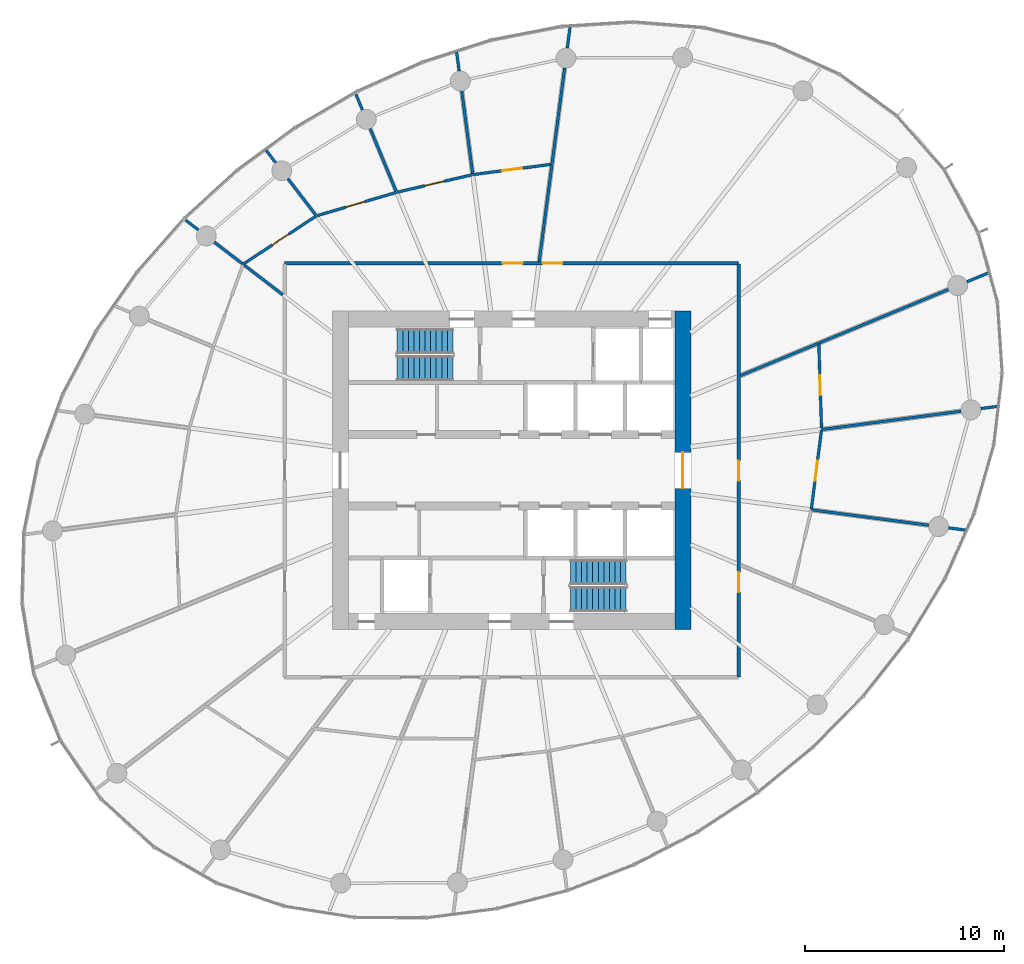
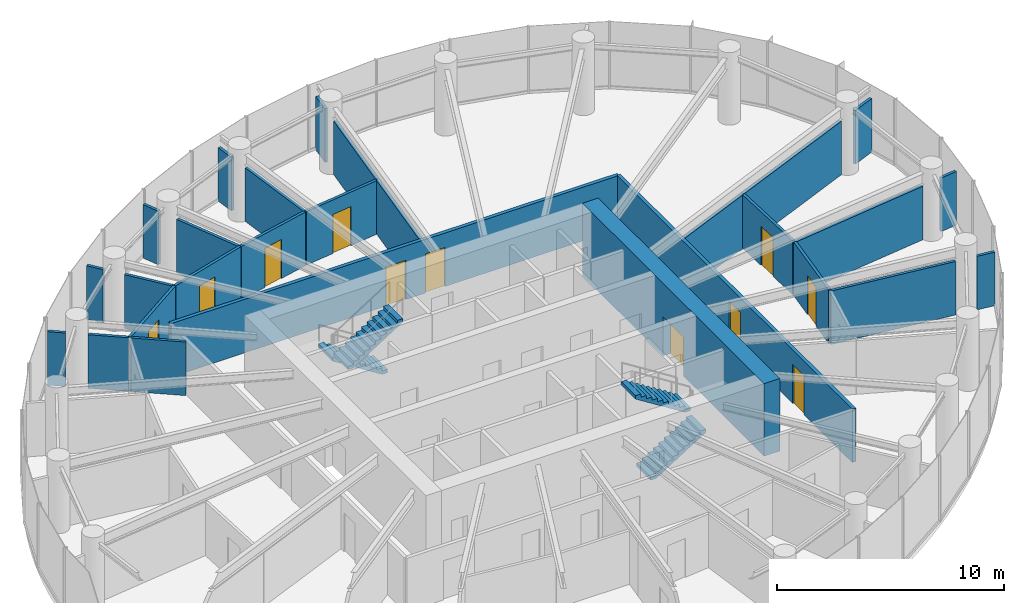
# One storey, part 11 of 14: 28 walls, 11 doors, 4 stair flights, 11 openings, 2 elements without a shape of their own.
"""IFC4 building model written with IfcOpenShell, lengths in metres."""

from ifc_helpers import new_model, si_unit, direction, frame, frame_2d, origin, place, context, subcontext, project, spatial, line, indexed_curve, rectangle, outline, extrude, source, transform, mapped, material, layer, layer_set, type_object, element, fill, aggregate, save


model = new_model("IFC4")

# Units and contexts
model_context = context("Model", 3, precision=1e-05, world=origin(), true_north=direction((0.0, 1.0)))
body_context = subcontext(model_context, "Body", "Model", "MODEL_VIEW")
ifc_project = project(units=[si_unit("LENGTHUNIT", "METRE"), si_unit("AREAUNIT", "SQUARE_METRE"), si_unit("VOLUMEUNIT", "CUBIC_METRE"), si_unit("PLANEANGLEUNIT", "RADIAN"), si_unit("MASSUNIT", "GRAM", prefix="KILO")], contexts=[model_context])

# Site, building, storey
site_placement = place(None, origin())
site = spatial("IfcSite", under=ifc_project, at=site_placement, CompositionType="ELEMENT")
building_placement = place(site_placement, origin())
building = spatial("IfcBuilding", under=site, at=building_placement, Name="Spindrift Exchange Tower", CompositionType="ELEMENT")
storey_placement = place(building_placement, frame((0.0, 0.0, 156.5)))
storey = spatial("IfcBuildingStorey", under=building, at=storey_placement, Name="L37", CompositionType="ELEMENT", Elevation=156.5)

# Wall, opening, door
ifc_material_1 = material(Name="Concrete 65 MPa", Category="concrete")
ifc_layer_1 = layer(ifc_material_1, 0.800048828125)
ifc_layer_set_1 = layer_set([ifc_layer_1], Name="RC Core Wall 800 Concrete 65 MPa")
wall_type_1 = type_object("IfcWallType", Name="RC Core Wall 800 Concrete 65 MPa", PredefinedType="SHEAR", material=ifc_layer_set_1)
wall_1_placement = place(storey_placement, frame((60.60009765625, 40.0, 0.0), z_axis=(0.0, 0.0, 1.0), x_axis=(0.0, 1.0, 0.0)))
wall_1 = element("IfcWall", 1, at=wall_1_placement, inside=storey, type_object=wall_type_1, Name="Core wall E L37", PredefinedType="SHEAR", context=body_context, shape_type="SweptSolid", body=[
    extrude(rectangle(XDim=16.0, YDim=0.800048828125, at=frame_2d((8.0, 0.0))), origin(), (0.0, 0.0, 1.0), 3.89990234375),
])
opening_1_placement = place(wall_1_placement, frame((7.10009765625, 0.0, 0.0)))
opening_1 = element("IfcOpeningElement", 2, at=opening_1_placement, cuts=wall_1, Name="Opening L37-D2", PredefinedType="OPENING", context=body_context, shape_type="SweptSolid", body=[
    extrude(rectangle(XDim=1.800048828125, YDim=2.10009765625, at=frame_2d((0.89990234375, 1.050048828125))), frame((0.0, 0.409912109375, 0.0), z_axis=(0.0, -1.0, 0.0), x_axis=(1.0, 0.0, 0.0)), (0.0, 0.0, 1.0), 0.820068359375),
])
ifc_material_2 = material(Name="Timber-core fire door", Category="wood")
door_type_1 = type_object("IfcDoorType", Name="DR-LOBBY-1800", OperationType="NOTDEFINED", PredefinedType="DOOR", material=ifc_material_2)
shared_shape_1 = source(origin(), body_context, "Body", "SweptSolid", [
    extrude(rectangle(XDim=1.800048828125, YDim=2.10009765625, at=frame_2d((0.89990234375, 1.050048828125))), frame((0.0, 0.02490234375, 0.0), z_axis=(0.0, -1.0, 0.0), x_axis=(1.0, 0.0, 0.0)), (0.0, 0.0, 1.0), 0.050048828125),
])
door_1_placement = place(opening_1_placement, origin())
door_1 = element("IfcDoor", 3, at=door_1_placement, inside=storey, type_object=door_type_1, Name="L37 Lobby door 2", OperationType="SINGLE_SWING_RIGHT", OverallHeight=2.10009765625, OverallWidth=1.800048828125, PredefinedType="DOOR", context=body_context, shape_type="MappedRepresentation", body=[
    mapped(shared_shape_1, transform((0.0, 0.0, 0.0), scale=1.0)),
])
fill(opening_1, door_1)

# Wall, openings, doors
ifc_material_3 = material(Name="Fire-rated plasterboard partition", Category="gypsum")
ifc_layer_2 = layer(ifc_material_3, 0.179931640625)
ifc_layer_set_2 = layer_set([ifc_layer_2], Name="W-CORR-180")
wall_type_2 = type_object("IfcWallType", Name="W-CORR-180", PredefinedType="PARTITIONING", material=ifc_layer_set_2)
wall_2_placement = place(storey_placement, frame((40.60009765625, 58.39990234375, 0.0), z_axis=(0.0, 0.0, 1.0), x_axis=(1.0, 0.0, 0.0)))
wall_2 = element("IfcWall", 4, at=wall_2_placement, inside=storey, type_object=wall_type_2, Name="L37 Partition wall 27", PredefinedType="PARTITIONING", context=body_context, shape_type="SweptSolid", body=[
    extrude(rectangle(XDim=22.7998046875, YDim=0.179931640625, at=frame_2d((11.39990234375, 0.0))), origin(), (0.0, 0.0, 1.0), 2.8798828125),
])
opening_2_placement = place(wall_2_placement, frame((12.949951171875, 0.0, 0.0)))
opening_2 = element("IfcOpeningElement", 5, at=opening_2_placement, cuts=wall_2, Name="Opening L37-D31", PredefinedType="OPENING", context=body_context, shape_type="SweptSolid", body=[
    extrude(rectangle(XDim=1.0, YDim=2.10009765625, at=frame_2d((0.5, 1.050048828125))), frame((0.0, 0.099853515625, 0.0), z_axis=(0.0, -1.0, 0.0), x_axis=(1.0, 0.0, 0.0)), (0.0, 0.0, 1.0), 0.199951171875),
])
opening_3_placement = place(wall_2_placement, frame((10.949951171875, 0.0, 0.0)))
opening_3 = element("IfcOpeningElement", 6, at=opening_3_placement, cuts=wall_2, Name="Opening L37-D32", PredefinedType="OPENING", context=body_context, shape_type="SweptSolid", body=[
    extrude(rectangle(XDim=1.0, YDim=2.10009765625, at=frame_2d((0.5, 1.050048828125))), frame((0.0, 0.099853515625, 0.0), z_axis=(0.0, -1.0, 0.0), x_axis=(1.0, 0.0, 0.0)), (0.0, 0.0, 1.0), 0.199951171875),
])
door_type_2 = type_object("IfcDoorType", Name="DR-ROOM-1000", OperationType="NOTDEFINED", PredefinedType="DOOR", material=ifc_material_2)
shared_shape_2 = source(origin(), body_context, "Body", "SweptSolid", [
    extrude(rectangle(XDim=1.0, YDim=2.10009765625, at=frame_2d((0.5, 1.050048828125))), frame((0.0, 0.02490234375, 0.0), z_axis=(0.0, -1.0, 0.0), x_axis=(1.0, 0.0, 0.0)), (0.0, 0.0, 1.0), 0.050048828125),
])
door_2_placement = place(opening_2_placement, origin())
door_2 = element("IfcDoor", 7, at=door_2_placement, inside=storey, type_object=door_type_2, Name="L37 Door 31", OperationType="SINGLE_SWING_RIGHT", OverallHeight=2.10009765625, OverallWidth=1.0, PredefinedType="DOOR", context=body_context, shape_type="MappedRepresentation", body=[
    mapped(shared_shape_2, transform((0.0, 0.0, 0.0), scale=1.0)),
])
fill(opening_2, door_2)
door_3_placement = place(opening_3_placement, origin())
door_3 = element("IfcDoor", 8, at=door_3_placement, inside=storey, type_object=door_type_2, Name="L37 Door 32", OperationType="SINGLE_SWING_LEFT", OverallHeight=2.10009765625, OverallWidth=1.0, PredefinedType="DOOR", context=body_context, shape_type="MappedRepresentation", body=[
    mapped(shared_shape_2, transform((0.0, 0.0, 0.0), scale=1.0)),
])
fill(opening_3, door_3)

wall_3_placement = place(storey_placement, frame((63.39990234375, 58.3701171875, 0.0), z_axis=(0.0, 0.0, 1.0), x_axis=(0.0, -1.0, 0.0)))
wall_3 = element("IfcWall", 9, at=wall_3_placement, inside=storey, type_object=wall_type_2, Name="L37 Partition wall 29", PredefinedType="PARTITIONING", context=body_context, shape_type="SweptSolid", body=[
    extrude(rectangle(XDim=20.740234375, YDim=0.179931640625, at=frame_2d((10.3701171875, 0.0))), origin(), (0.0, 0.0, 1.0), 2.8798828125),
])
opening_4_placement = place(wall_3_placement, frame((15.489990234375, 0.0, 0.0)))
opening_4 = element("IfcOpeningElement", 10, at=opening_4_placement, cuts=wall_3, Name="Opening L37-D26", PredefinedType="OPENING", context=body_context, shape_type="SweptSolid", body=[
    extrude(rectangle(XDim=1.0, YDim=2.10009765625, at=frame_2d((0.5, 1.050048828125))), frame((0.0, 0.099853515625, 0.0), z_axis=(0.0, -1.0, 0.0), x_axis=(1.0, 0.0, 0.0)), (0.0, 0.0, 1.0), 0.199951171875),
])
opening_5_placement = place(wall_3_placement, frame((9.889892578125, 0.0, 0.0)))
opening_5 = element("IfcOpeningElement", 11, at=opening_5_placement, cuts=wall_3, Name="Opening L37-D27", PredefinedType="OPENING", context=body_context, shape_type="SweptSolid", body=[
    extrude(rectangle(XDim=1.0, YDim=2.10009765625, at=frame_2d((0.5, 1.050048828125))), frame((0.0, 0.099853515625, 0.0), z_axis=(0.0, -1.0, 0.0), x_axis=(1.0, 0.0, 0.0)), (0.0, 0.0, 1.0), 0.199951171875),
])
door_4_placement = place(opening_4_placement, origin())
door_4 = element("IfcDoor", 12, at=door_4_placement, inside=storey, type_object=door_type_2, Name="L37 Door 26", OperationType="SINGLE_SWING_LEFT", OverallHeight=2.10009765625, OverallWidth=1.0, PredefinedType="DOOR", context=body_context, shape_type="MappedRepresentation", body=[
    mapped(shared_shape_2, transform((0.0, 0.0, 0.0), scale=1.0)),
])
fill(opening_4, door_4)
door_5_placement = place(opening_5_placement, origin())
door_5 = element("IfcDoor", 13, at=door_5_placement, inside=storey, type_object=door_type_2, Name="L37 Door 27", OperationType="SINGLE_SWING_RIGHT", OverallHeight=2.10009765625, OverallWidth=1.0, PredefinedType="DOOR", context=body_context, shape_type="MappedRepresentation", body=[
    mapped(shared_shape_2, transform((0.0, 0.0, 0.0), scale=1.0)),
])
fill(opening_5, door_5)

# Walls
ifc_layer_3 = layer(ifc_material_3, 0.139892578125)
ifc_layer_set_3 = layer_set([ifc_layer_3], Name="W-PART-140")
wall_type_3 = type_object("IfcWallType", Name="W-PART-140", PredefinedType="PARTITIONING", material=ifc_layer_set_3)
wall_4_placement = place(storey_placement, frame((67.56103515625, 50.048583984375, 0.0), z_axis=(0.0, 0.0, 1.0), x_axis=(0.991446056041, 0.130517117504, 0.0)))
element("IfcWall", 14, at=wall_4_placement, inside=storey, type_object=wall_type_3, Name="L37 Partition wall 31", PredefinedType="PARTITIONING", context=body_context, shape_type="SweptSolid", body=[
    extrude(rectangle(XDim=7.061279296875, YDim=0.139892578125, at=frame_2d((3.53076171875, 0.0))), origin(), (0.0, 0.0, 1.0), 2.8798828125),
])
wall_5_placement = place(storey_placement, frame((67.422607421875, 54.38818359375, 0.0), z_axis=(0.0, 0.0, 1.0), x_axis=(0.923877847589, 0.382687500102, 0.0)))
element("IfcWall", 15, at=wall_5_placement, inside=storey, type_object=wall_type_3, Name="L37 Partition wall 32", PredefinedType="PARTITIONING", context=body_context, shape_type="SweptSolid", body=[
    extrude(rectangle(XDim=7.043701171875, YDim=0.139892578125, at=frame_2d((3.52197265625, 0.0))), origin(), (0.0, 0.0, 1.0), 2.8798828125),
])
wall_6_placement = place(storey_placement, frame((67.043701171875, 46.019287109375, 0.0), z_axis=(0.0, 0.0, 1.0), x_axis=(0.991450523091, -0.13048318, 0.0)))
element("IfcWall", 16, at=wall_6_placement, inside=storey, type_object=wall_type_3, Name="L37 Partition wall 33", PredefinedType="PARTITIONING", context=body_context, shape_type="SweptSolid", body=[
    extrude(rectangle(XDim=5.947998046875, YDim=0.139892578125, at=frame_2d((2.97412109375, 0.0))), origin(), (0.0, 0.0, 1.0), 2.8798828125),
])
wall_7_placement = place(storey_placement, frame((53.381103515625, 58.489990234375, 0.0), z_axis=(0.0, 0.0, 1.0), x_axis=(0.130523758186, 0.991445181817, 0.0)))
element("IfcWall", 17, at=wall_7_placement, inside=storey, type_object=wall_type_3, Name="L37 Partition wall 42", PredefinedType="PARTITIONING", context=body_context, shape_type="SweptSolid", body=[
    extrude(rectangle(XDim=4.925048828125, YDim=0.139892578125, at=frame_2d((2.46240234375, 0.0))), origin(), (0.0, 0.0, 1.0), 2.8798828125),
])
wall_8_placement = place(storey_placement, frame((54.02783203125, 63.40234375, 0.0), z_axis=(0.0, 0.0, 1.0), x_axis=(0.130532734851, 0.991443999998, 0.0)))
element("IfcWall", 18, at=wall_8_placement, inside=storey, type_object=wall_type_3, Name="L37 Partition wall 44", PredefinedType="PARTITIONING", context=body_context, shape_type="SweptSolid", body=[
    extrude(rectangle(XDim=4.84423828125, YDim=0.139892578125, at=frame_2d((2.422119140625, 0.0))), origin(), (0.0, 0.0, 1.0), 2.8798828125),
])

# Wall, opening, door
wall_9_placement = place(storey_placement, frame((38.510986328125, 58.3505859375, 0.0), z_axis=(0.0, 0.0, 1.0), x_axis=(0.834612459485, 0.550837582662, 0.0)))
wall_9 = element("IfcWall", 19, at=wall_9_placement, inside=storey, type_object=wall_type_3, Name="L37 Partition wall 48", PredefinedType="PARTITIONING", context=body_context, shape_type="SweptSolid", body=[
    extrude(rectangle(XDim=4.411865234375, YDim=0.139892578125, at=frame_2d((2.2060546875, 0.0))), origin(), (0.0, 0.0, 1.0), 2.8798828125),
])
opening_6_placement = place(wall_9_placement, frame((1.76171875, 0.0, 0.0)))
opening_6 = element("IfcOpeningElement", 20, at=opening_6_placement, cuts=wall_9, Name="Opening L37-D36", PredefinedType="OPENING", context=body_context, shape_type="SweptSolid", body=[
    extrude(rectangle(XDim=1.0, YDim=2.10009765625, at=frame_2d((0.5, 1.050048828125))), frame((0.0, 0.079833984375, 0.0), z_axis=(0.0, -1.0, 0.0), x_axis=(1.0, 0.0, 0.0)), (0.0, 0.0, 1.0), 0.159912109375),
])
door_6_placement = place(opening_6_placement, origin())
door_6 = element("IfcDoor", 21, at=door_6_placement, inside=storey, type_object=door_type_2, Name="L37 Door 36", OperationType="SINGLE_SWING_LEFT", OverallHeight=2.10009765625, OverallWidth=1.0, PredefinedType="DOOR", context=body_context, shape_type="MappedRepresentation", body=[
    mapped(shared_shape_2, transform((0.0, 0.0, 0.0), scale=1.0)),
])
fill(opening_6, door_6)

# Wall
wall_10_placement = place(storey_placement, frame((63.489990234375, 52.75927734375, 0.0), z_axis=(0.0, 0.0, 1.0), x_axis=(0.923878137975, 0.382686799055, 0.0)))
element("IfcWall", 22, at=wall_10_placement, inside=storey, type_object=wall_type_3, Name="L37 Partition wall 52", PredefinedType="PARTITIONING", context=body_context, shape_type="SweptSolid", body=[
    extrude(rectangle(XDim=4.2265625, YDim=0.139892578125, at=frame_2d((2.11328125, 0.0))), origin(), (0.0, 0.0, 1.0), 2.8798828125),
])

# Wall, opening, door
wall_11_placement = place(storey_placement, frame((67.423583984375, 54.3583984375, 0.0), z_axis=(0.0, 0.0, 1.0), x_axis=(0.031887030208, -0.999491479356, 0.0)))
wall_11 = element("IfcWall", 23, at=wall_11_placement, inside=storey, type_object=wall_type_3, Name="L37 Partition wall 53", PredefinedType="PARTITIONING", context=body_context, shape_type="SweptSolid", body=[
    extrude(rectangle(XDim=4.24169921875, YDim=0.139892578125, at=frame_2d((2.120849609375, 0.0))), origin(), (0.0, 0.0, 1.0), 2.8798828125),
])
opening_7_placement = place(wall_11_placement, frame((1.591552734375, 0.0, 0.0)))
opening_7 = element("IfcOpeningElement", 24, at=opening_7_placement, cuts=wall_11, Name="Opening L37-D30", PredefinedType="OPENING", context=body_context, shape_type="SweptSolid", body=[
    extrude(rectangle(XDim=1.0, YDim=2.10009765625, at=frame_2d((0.5, 1.050048828125))), frame((0.0, 0.079833984375, 0.0), z_axis=(0.0, -1.0, 0.0), x_axis=(1.0, 0.0, 0.0)), (0.0, 0.0, 1.0), 0.159912109375),
])
door_7_placement = place(opening_7_placement, origin())
door_7 = element("IfcDoor", 25, at=door_7_placement, inside=storey, type_object=door_type_2, Name="L37 Door 30", OperationType="SINGLE_SWING_LEFT", OverallHeight=2.10009765625, OverallWidth=1.0, PredefinedType="DOOR", context=body_context, shape_type="MappedRepresentation", body=[
    mapped(shared_shape_2, transform((0.0, 0.0, 0.0), scale=1.0)),
])
fill(opening_7, door_7)

# Wall
wall_12_placement = place(storey_placement, frame((50.044921875, 62.850341796875, 0.0), z_axis=(0.0, 0.0, 1.0), x_axis=(-0.130506679213, 0.991447430115, 0.0)))
element("IfcWall", 26, at=wall_12_placement, inside=storey, type_object=wall_type_3, Name="L37 Partition wall 55", PredefinedType="PARTITIONING", context=body_context, shape_type="SweptSolid", body=[
    extrude(rectangle(XDim=4.237060546875, YDim=0.139892578125, at=frame_2d((2.11865234375, 0.0))), origin(), (0.0, 0.0, 1.0), 2.8798828125),
])

# Wall, opening, door
wall_13_placement = place(storey_placement, frame((42.2216796875, 60.789306640625, 0.0), z_axis=(0.0, 0.0, 1.0), x_axis=(0.959559478974, 0.281505961415, 0.0)))
wall_13 = element("IfcWall", 27, at=wall_13_placement, inside=storey, type_object=wall_type_3, Name="L37 Partition wall 56", PredefinedType="PARTITIONING", context=body_context, shape_type="SweptSolid", body=[
    extrude(rectangle(XDim=4.163818359375, YDim=0.139892578125, at=frame_2d((2.08203125, 0.0))), origin(), (0.0, 0.0, 1.0), 2.8798828125),
])
opening_8_placement = place(wall_13_placement, frame((1.513671875, 0.0, 0.0)))
opening_8 = element("IfcOpeningElement", 28, at=opening_8_placement, cuts=wall_13, Name="Opening L37-D35", PredefinedType="OPENING", context=body_context, shape_type="SweptSolid", body=[
    extrude(rectangle(XDim=1.0, YDim=2.10009765625, at=frame_2d((0.5, 1.050048828125))), frame((0.0, 0.079833984375, 0.0), z_axis=(0.0, -1.0, 0.0), x_axis=(1.0, 0.0, 0.0)), (0.0, 0.0, 1.0), 0.159912109375),
])
door_8_placement = place(opening_8_placement, origin())
door_8 = element("IfcDoor", 29, at=door_8_placement, inside=storey, type_object=door_type_2, Name="L37 Door 35", OperationType="SINGLE_SWING_RIGHT", OverallHeight=2.10009765625, OverallWidth=1.0, PredefinedType="DOOR", context=body_context, shape_type="MappedRepresentation", body=[
    mapped(shared_shape_2, transform((0.0, 0.0, 0.0), scale=1.0)),
])
fill(opening_8, door_8)

wall_14_placement = place(storey_placement, frame((67.557373046875, 50.018798828125, 0.0), z_axis=(0.0, 0.0, 1.0), x_axis=(-0.127375141881, -0.99185461295, 0.0)))
wall_14 = element("IfcWall", 30, at=wall_14_placement, inside=storey, type_object=wall_type_3, Name="L37 Partition wall 59", PredefinedType="PARTITIONING", context=body_context, shape_type="SweptSolid", body=[
    extrude(rectangle(XDim=4.002197265625, YDim=0.139892578125, at=frame_2d((2.0009765625, 0.0))), origin(), (0.0, 0.0, 1.0), 2.8798828125),
])
opening_9_placement = place(wall_14_placement, frame((1.55224609375, 0.0, 0.0)))
opening_9 = element("IfcOpeningElement", 31, at=opening_9_placement, cuts=wall_14, Name="Opening L37-D29", PredefinedType="OPENING", context=body_context, shape_type="SweptSolid", body=[
    extrude(rectangle(XDim=1.0, YDim=2.10009765625, at=frame_2d((0.5, 1.050048828125))), frame((0.0, 0.079833984375, 0.0), z_axis=(0.0, -1.0, 0.0), x_axis=(1.0, 0.0, 0.0)), (0.0, 0.0, 1.0), 0.159912109375),
])
door_9_placement = place(opening_9_placement, origin())
door_9 = element("IfcDoor", 32, at=door_9_placement, inside=storey, type_object=door_type_2, Name="L37 Door 29", OperationType="SINGLE_SWING_RIGHT", OverallHeight=2.10009765625, OverallWidth=1.0, PredefinedType="DOOR", context=body_context, shape_type="MappedRepresentation", body=[
    mapped(shared_shape_2, transform((0.0, 0.0, 0.0), scale=1.0)),
])
fill(opening_9, door_9)

wall_15_placement = place(storey_placement, frame((50.07470703125, 62.854248046875, 0.0), z_axis=(0.0, 0.0, 1.0), x_axis=(0.991491442794, 0.130171882012, 0.0)))
wall_15 = element("IfcWall", 33, at=wall_15_placement, inside=storey, type_object=wall_type_3, Name="L37 Partition wall 60", PredefinedType="PARTITIONING", context=body_context, shape_type="SweptSolid", body=[
    extrude(rectangle(XDim=3.910400390625, YDim=0.139892578125, at=frame_2d((1.955078125, 0.0))), origin(), (0.0, 0.0, 1.0), 2.8798828125),
])
opening_10_placement = place(wall_15_placement, frame((1.460693359375, 0.0, 0.0)))
opening_10 = element("IfcOpeningElement", 34, at=opening_10_placement, cuts=wall_15, Name="Opening L37-D33", PredefinedType="OPENING", context=body_context, shape_type="SweptSolid", body=[
    extrude(rectangle(XDim=1.0, YDim=2.10009765625, at=frame_2d((0.5, 1.050048828125))), frame((0.0, 0.079833984375, 0.0), z_axis=(0.0, -1.0, 0.0), x_axis=(1.0, 0.0, 0.0)), (0.0, 0.0, 1.0), 0.159912109375),
])
door_10_placement = place(opening_10_placement, origin())
door_10 = element("IfcDoor", 35, at=door_10_placement, inside=storey, type_object=door_type_2, Name="L37 Door 33", OperationType="SINGLE_SWING_RIGHT", OverallHeight=2.10009765625, OverallWidth=1.0, PredefinedType="DOOR", context=body_context, shape_type="MappedRepresentation", body=[
    mapped(shared_shape_2, transform((0.0, 0.0, 0.0), scale=1.0)),
])
fill(opening_10, door_10)

wall_16_placement = place(storey_placement, frame((46.24609375, 61.96826171875, 0.0), z_axis=(0.0, 0.0, 1.0), x_axis=(0.974087273118, 0.226172465941, 0.0)))
wall_16 = element("IfcWall", 36, at=wall_16_placement, inside=storey, type_object=wall_type_3, Name="L37 Partition wall 62", PredefinedType="PARTITIONING", context=body_context, shape_type="SweptSolid", body=[
    extrude(rectangle(XDim=3.869873046875, YDim=0.139892578125, at=frame_2d((1.93505859375, 0.0))), origin(), (0.0, 0.0, 1.0), 2.8798828125),
])
opening_11_placement = place(wall_16_placement, frame((1.419921875, 0.0, 0.0)))
opening_11 = element("IfcOpeningElement", 37, at=opening_11_placement, cuts=wall_16, Name="Opening L37-D34", PredefinedType="OPENING", context=body_context, shape_type="SweptSolid", body=[
    extrude(rectangle(XDim=1.0, YDim=2.10009765625, at=frame_2d((0.5, 1.050048828125))), frame((0.0, 0.079833984375, 0.0), z_axis=(0.0, -1.0, 0.0), x_axis=(1.0, 0.0, 0.0)), (0.0, 0.0, 1.0), 0.159912109375),
])
door_11_placement = place(opening_11_placement, origin())
door_11 = element("IfcDoor", 38, at=door_11_placement, inside=storey, type_object=door_type_2, Name="L37 Door 34", OperationType="SINGLE_SWING_LEFT", OverallHeight=2.10009765625, OverallWidth=1.0, PredefinedType="DOOR", context=body_context, shape_type="MappedRepresentation", body=[
    mapped(shared_shape_2, transform((0.0, 0.0, 0.0), scale=1.0)),
])
fill(opening_11, door_11)

# Walls
wall_17_placement = place(storey_placement, frame((46.18994140625, 62.026611328125, 0.0), z_axis=(0.0, 0.0, 1.0), x_axis=(-0.382697308523, 0.923873784696, 0.0)))
element("IfcWall", 39, at=wall_17_placement, inside=storey, type_object=wall_type_3, Name="L37 Partition wall 67", PredefinedType="PARTITIONING", context=body_context, shape_type="SweptSolid", body=[
    extrude(rectangle(XDim=3.390625, YDim=0.139892578125, at=frame_2d((1.6953125, 0.0))), origin(), (0.0, 0.0, 1.0), 2.8798828125),
])
wall_18_placement = place(storey_placement, frame((40.510009765625, 56.816650390625, 0.0), z_axis=(0.0, 0.0, 1.0), x_axis=(-0.793387804713, 0.608716511467, 0.0)))
element("IfcWall", 40, at=wall_18_placement, inside=storey, type_object=wall_type_3, Name="L37 Partition wall 72", PredefinedType="PARTITIONING", context=body_context, shape_type="SweptSolid", body=[
    extrude(rectangle(XDim=2.44580078125, YDim=0.139892578125, at=frame_2d((1.222900390625, 0.0))), origin(), (0.0, 0.0, 1.0), 2.8798828125),
])
wall_19_placement = place(storey_placement, frame((42.150390625, 60.83642578125, 0.0), z_axis=(0.0, 0.0, 1.0), x_axis=(-0.608757629388, 0.793356255828, 0.0)))
element("IfcWall", 41, at=wall_19_placement, inside=storey, type_object=wall_type_3, Name="L37 Partition wall 76", PredefinedType="PARTITIONING", context=body_context, shape_type="SweptSolid", body=[
    extrude(rectangle(XDim=2.27880859375, YDim=0.139892578125, at=frame_2d((1.139404296875, 0.0))), origin(), (0.0, 0.0, 1.0), 2.8798828125),
])
wall_20_placement = place(storey_placement, frame((38.487060546875, 58.368896484375, 0.0), z_axis=(0.0, 0.0, 1.0), x_axis=(-0.793336842099, 0.608782929269, 0.0)))
element("IfcWall", 42, at=wall_20_placement, inside=storey, type_object=wall_type_3, Name="L37 Partition wall 78", PredefinedType="PARTITIONING", context=body_context, shape_type="SweptSolid", body=[
    extrude(rectangle(XDim=1.793701171875, YDim=0.139892578125, at=frame_2d((0.89697265625, 0.0))), origin(), (0.0, 0.0, 1.0), 2.8798828125),
])
wall_21_placement = place(storey_placement, frame((74.86328125, 57.47021484375, 0.0), z_axis=(0.0, 0.0, 1.0), x_axis=(0.923882723383, 0.382675728829, 0.0)))
element("IfcWall", 43, at=wall_21_placement, inside=storey, type_object=wall_type_3, Name="L37 Partition wall 80", PredefinedType="PARTITIONING", context=body_context, shape_type="SweptSolid", body=[
    extrude(rectangle(XDim=1.1982421875, YDim=0.139892578125, at=frame_2d((0.59912109375, 0.0))), origin(), (0.0, 0.0, 1.0), 2.8798828125),
])
wall_22_placement = place(storey_placement, frame((54.791748046875, 69.205322265625, 0.0), z_axis=(0.0, 0.0, 1.0), x_axis=(0.130569518357, 0.991439156417, 0.0)))
element("IfcWall", 44, at=wall_22_placement, inside=storey, type_object=wall_type_3, Name="L37 Partition wall 83", PredefinedType="PARTITIONING", context=body_context, shape_type="SweptSolid", body=[
    extrude(rectangle(XDim=1.04345703125, YDim=0.139892578125, at=frame_2d((0.521728515625, 0.0))), origin(), (0.0, 0.0, 1.0), 2.8798828125),
])
wall_23_placement = place(storey_placement, frame((49.360107421875, 68.051513671875, 0.0), z_axis=(0.0, 0.0, 1.0), x_axis=(-0.130434626054, 0.991456911987, 0.0)))
element("IfcWall", 45, at=wall_23_placement, inside=storey, type_object=wall_type_3, Name="L37 Partition wall 86", PredefinedType="PARTITIONING", context=body_context, shape_type="SweptSolid", body=[
    extrude(rectangle(XDim=0.95263671875, YDim=0.139892578125, at=frame_2d((0.476318359375, 0.0))), origin(), (0.0, 0.0, 1.0), 2.8798828125),
])
wall_24_placement = place(storey_placement, frame((73.941162109375, 45.111328125, 0.0), z_axis=(0.0, 0.0, 1.0), x_axis=(0.991446500326, -0.130513742537, 0.0)))
element("IfcWall", 46, at=wall_24_placement, inside=storey, type_object=wall_type_3, Name="L37 Partition wall 88", PredefinedType="PARTITIONING", context=body_context, shape_type="SweptSolid", body=[
    extrude(rectangle(XDim=0.85302734375, YDim=0.139892578125, at=frame_2d((0.426513671875, 0.0))), origin(), (0.0, 0.0, 1.0), 2.8798828125),
])
wall_25_placement = place(storey_placement, frame((44.505859375, 66.09228515625, 0.0), z_axis=(0.0, 0.0, 1.0), x_axis=(-0.382722863119, 0.923863198772, 0.0)))
element("IfcWall", 47, at=wall_25_placement, inside=storey, type_object=wall_type_3, Name="L37 Partition wall 89", PredefinedType="PARTITIONING", context=body_context, shape_type="SweptSolid", body=[
    extrude(rectangle(XDim=0.852294921875, YDim=0.139892578125, at=frame_2d((0.42626953125, 0.0))), origin(), (0.0, 0.0, 1.0), 2.8798828125),
])
wall_26_placement = place(storey_placement, frame((75.56201171875, 51.10205078125, 0.0), z_axis=(0.0, 0.0, 1.0), x_axis=(0.991432738393, 0.130618242377, 0.0)))
element("IfcWall", 48, at=wall_26_placement, inside=storey, type_object=wall_type_3, Name="L37 Partition wall 91", PredefinedType="PARTITIONING", context=body_context, shape_type="SweptSolid", body=[
    extrude(rectangle(XDim=0.8486328125, YDim=0.139892578125, at=frame_2d((0.42431640625, 0.0))), origin(), (0.0, 0.0, 1.0), 2.8798828125),
])
wall_27_placement = place(storey_placement, frame((36.263427734375, 60.0751953125, 0.0), z_axis=(0.0, 0.0, 1.0), x_axis=(-0.793425360376, 0.608667559109, 0.0)))
element("IfcWall", 49, at=wall_27_placement, inside=storey, type_object=wall_type_3, Name="L37 Partition wall 96", PredefinedType="PARTITIONING", context=body_context, shape_type="SweptSolid", body=[
    extrude(rectangle(XDim=0.803466796875, YDim=0.139892578125, at=frame_2d((0.40185546875, 0.0))), origin(), (0.0, 0.0, 1.0), 2.8798828125),
])
wall_28_placement = place(storey_placement, frame((40.14892578125, 63.444580078125, 0.0), z_axis=(0.0, 0.0, 1.0), x_axis=(-0.608659697441, 0.793431391307, 0.0)))
element("IfcWall", 50, at=wall_28_placement, inside=storey, type_object=wall_type_3, Name="L37 Partition wall 98", PredefinedType="PARTITIONING", context=body_context, shape_type="SweptSolid", body=[
    extrude(rectangle(XDim=0.7861328125, YDim=0.139892578125, at=frame_2d((0.39306640625, 0.0))), origin(), (0.0, 0.0, 1.0), 2.8798828125),
])

# Stair, stair flights
ifc_material_4 = material(Name="Concrete 50 MPa", Category="concrete")
stair_type = type_object("IfcStairType", Name="ST-1250-R177", PredefinedType="HALF_TURN_STAIR", material=ifc_material_4)
stair_1_placement = place(storey_placement, origin())
stair_1 = element("IfcStair", 51, at=stair_1_placement, inside=storey, type_object=stair_type, Name="L37 Exit stair ST1", PredefinedType="HALF_TURN_STAIR")
stair_flight_type = type_object("IfcStairFlightType", Name="STF-1250-R177", PredefinedType="STRAIGHT", material=ifc_material_4)
stair_flight_1_placement = place(storey_placement, frame((49.050048828125, 54.47509765625, 0.0), z_axis=(0.0, 0.0, 1.0), x_axis=(-1.0, 0.0, 0.0)))
stair_flight_1 = element("IfcStairFlight", 52, at=stair_flight_1_placement, type_object=stair_flight_type, Name="ST1 flight 1", NumberOfRisers=11, NumberOfTreads=10, PredefinedType="STRAIGHT", RiserHeight=0.177272727, TreadLength=0.28, context=body_context, shape_type="SweptSolid", body=[
    extrude(outline(indexed_curve([(0.0, 0.0), (0.0, 0.177734375), (0.2802734375, 0.177734375), (0.2802734375, 0.3544921875), (0.5595703125, 0.3544921875), (0.5595703125, 0.5322265625), (0.83984375, 0.5322265625), (0.83984375, 0.708984375), (1.1201171875, 0.708984375), (1.1201171875, 0.88671875), (1.400390625, 0.88671875), (1.400390625, 1.0634765625), (1.6796875, 1.0634765625), (1.6796875, 1.2412109375), (1.9599609375, 1.2412109375), (1.9599609375, 1.41796875), (2.240234375, 1.41796875), (2.240234375, 1.595703125), (2.51953125, 1.595703125), (2.51953125, 1.7724609375), (2.7998046875, 1.7724609375), (2.7998046875, 1.9501953125), (2.7998046875, 1.595703125), (0.2802734375, 0.0)], segments=[line(1, 2, 3, 4, 5, 6, 7, 8, 9, 10, 11, 12, 13, 14, 15, 16, 17, 18, 19, 20, 21, 22, 23, 24, 1)], self_intersect=False)), frame((0.0, 0.625, 0.0), z_axis=(0.0, -1.0, 0.0), x_axis=(1.0, 0.0, 0.0)), (0.0, 0.0, 1.0), 1.25),
])
stair_flight_2_placement = place(storey_placement, frame((46.25, 53.125, 1.949951171875), z_axis=(0.0, 0.0, 1.0), x_axis=(1.0, 0.0, 0.0)))
stair_flight_2 = element("IfcStairFlight", 53, at=stair_flight_2_placement, type_object=stair_flight_type, Name="ST1 flight 2", NumberOfRisers=11, NumberOfTreads=10, PredefinedType="STRAIGHT", RiserHeight=0.177272727, TreadLength=0.28, context=body_context, shape_type="SweptSolid", body=[
    extrude(outline(indexed_curve([(0.0, 0.0), (0.0, 0.177734375), (0.2802734375, 0.177734375), (0.2802734375, 0.3544921875), (0.5595703125, 0.3544921875), (0.5595703125, 0.5322265625), (0.83984375, 0.5322265625), (0.83984375, 0.708984375), (1.1201171875, 0.708984375), (1.1201171875, 0.88671875), (1.400390625, 0.88671875), (1.400390625, 1.0634765625), (1.6796875, 1.0634765625), (1.6796875, 1.2412109375), (1.9599609375, 1.2412109375), (1.9599609375, 1.41796875), (2.240234375, 1.41796875), (2.240234375, 1.595703125), (2.51953125, 1.595703125), (2.51953125, 1.7724609375), (2.7998046875, 1.7724609375), (2.7998046875, 1.9501953125), (2.7998046875, 1.595703125), (0.2802734375, 0.0)], segments=[line(1, 2, 3, 4, 5, 6, 7, 8, 9, 10, 11, 12, 13, 14, 15, 16, 17, 18, 19, 20, 21, 22, 23, 24, 1)], self_intersect=False)), frame((0.0, 0.625, 0.0), z_axis=(0.0, -1.0, 0.0), x_axis=(1.0, 0.0, 0.0)), (0.0, 0.0, 1.0), 1.25),
])
aggregate(stair_1, [stair_flight_1, stair_flight_2])

stair_2_placement = place(storey_placement, origin())
stair_2 = element("IfcStair", 54, at=stair_2_placement, inside=storey, type_object=stair_type, Name="L37 Exit stair ST2", PredefinedType="HALF_TURN_STAIR")
stair_flight_3_placement = place(storey_placement, frame((54.949951171875, 41.52490234375, 0.0), z_axis=(0.0, 0.0, 1.0), x_axis=(1.0, 0.0, 0.0)))
stair_flight_3 = element("IfcStairFlight", 55, at=stair_flight_3_placement, type_object=stair_flight_type, Name="ST2 flight 1", NumberOfRisers=11, NumberOfTreads=10, PredefinedType="STRAIGHT", RiserHeight=0.177272727, TreadLength=0.28, context=body_context, shape_type="SweptSolid", body=[
    extrude(outline(indexed_curve([(0.0, 0.0), (0.0, 0.177734375), (0.2802734375, 0.177734375), (0.2802734375, 0.3544921875), (0.5595703125, 0.3544921875), (0.5595703125, 0.5322265625), (0.83984375, 0.5322265625), (0.83984375, 0.708984375), (1.1201171875, 0.708984375), (1.1201171875, 0.88671875), (1.400390625, 0.88671875), (1.400390625, 1.0634765625), (1.6796875, 1.0634765625), (1.6796875, 1.2412109375), (1.9599609375, 1.2412109375), (1.9599609375, 1.41796875), (2.240234375, 1.41796875), (2.240234375, 1.595703125), (2.51953125, 1.595703125), (2.51953125, 1.7724609375), (2.7998046875, 1.7724609375), (2.7998046875, 1.9501953125), (2.7998046875, 1.595703125), (0.2802734375, 0.0)], segments=[line(1, 2, 3, 4, 5, 6, 7, 8, 9, 10, 11, 12, 13, 14, 15, 16, 17, 18, 19, 20, 21, 22, 23, 24, 1)], self_intersect=False)), frame((0.0, 0.625, 0.0), z_axis=(0.0, -1.0, 0.0), x_axis=(1.0, 0.0, 0.0)), (0.0, 0.0, 1.0), 1.25),
])
stair_flight_4_placement = place(storey_placement, frame((57.75, 42.875, 1.949951171875), z_axis=(0.0, 0.0, 1.0), x_axis=(-1.0, 0.0, 0.0)))
stair_flight_4 = element("IfcStairFlight", 56, at=stair_flight_4_placement, type_object=stair_flight_type, Name="ST2 flight 2", NumberOfRisers=11, NumberOfTreads=10, PredefinedType="STRAIGHT", RiserHeight=0.177272727, TreadLength=0.28, context=body_context, shape_type="SweptSolid", body=[
    extrude(outline(indexed_curve([(0.0, 0.0), (0.0, 0.177734375), (0.2802734375, 0.177734375), (0.2802734375, 0.3544921875), (0.5595703125, 0.3544921875), (0.5595703125, 0.5322265625), (0.83984375, 0.5322265625), (0.83984375, 0.708984375), (1.1201171875, 0.708984375), (1.1201171875, 0.88671875), (1.400390625, 0.88671875), (1.400390625, 1.0634765625), (1.6796875, 1.0634765625), (1.6796875, 1.2412109375), (1.9599609375, 1.2412109375), (1.9599609375, 1.41796875), (2.240234375, 1.41796875), (2.240234375, 1.595703125), (2.51953125, 1.595703125), (2.51953125, 1.7724609375), (2.7998046875, 1.7724609375), (2.7998046875, 1.9501953125), (2.7998046875, 1.595703125), (0.2802734375, 0.0)], segments=[line(1, 2, 3, 4, 5, 6, 7, 8, 9, 10, 11, 12, 13, 14, 15, 16, 17, 18, 19, 20, 21, 22, 23, 24, 1)], self_intersect=False)), frame((0.0, 0.625, 0.0), z_axis=(0.0, -1.0, 0.0), x_axis=(1.0, 0.0, 0.0)), (0.0, 0.0, 1.0), 1.25),
])
aggregate(stair_2, [stair_flight_3, stair_flight_4])

save(model, "model.ifc")
